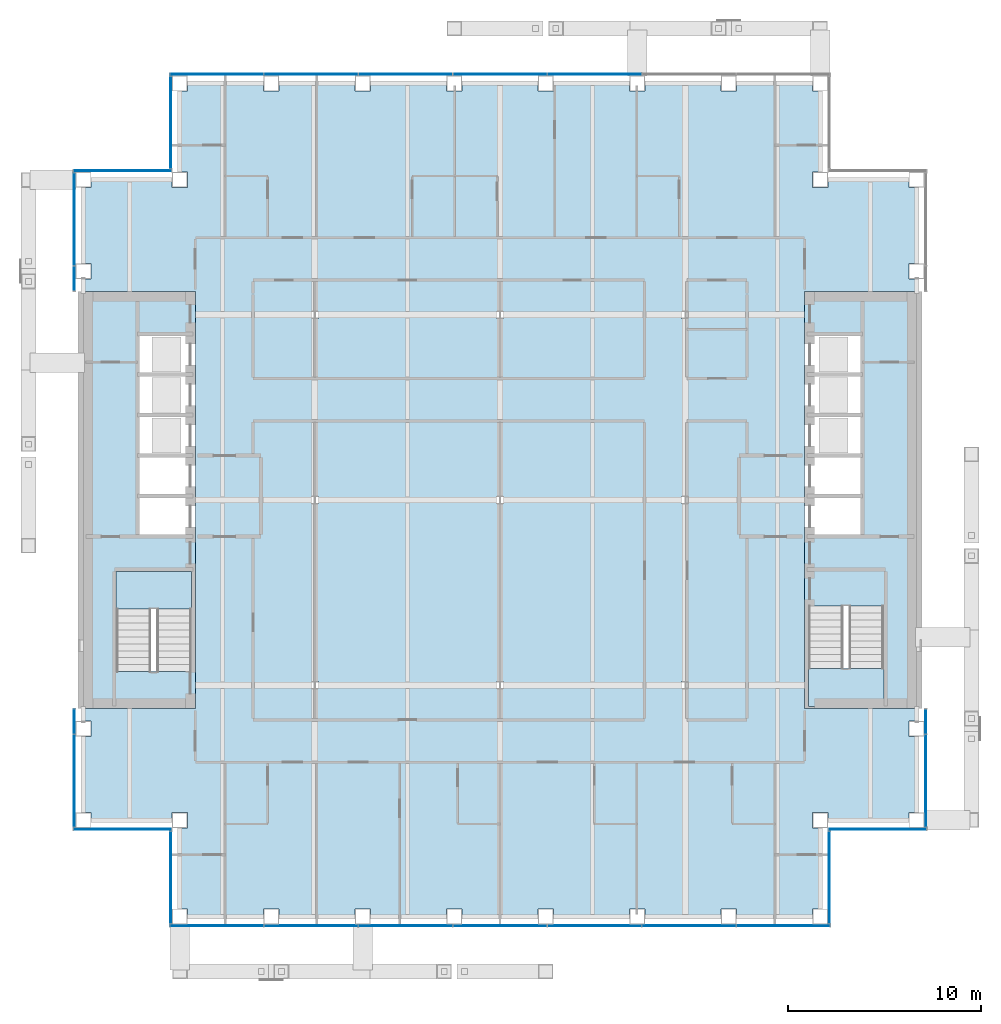
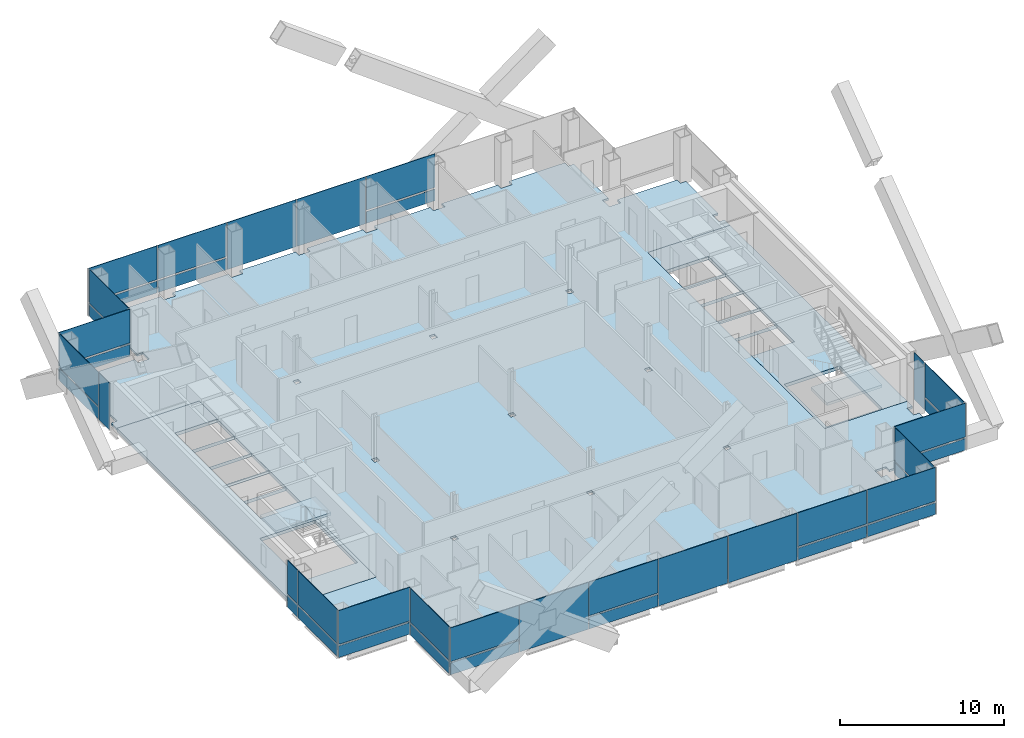
# One storey, part 9 of 16: 41 plates, 5 slabs, 13 elements without a shape of their own.
"""IFC4 building model written with IfcOpenShell, lengths in metres."""

from ifc_helpers import new_model, si_unit, direction, frame, origin, origin_2d, place, context, subcontext, project, spatial, polyline, rectangle, outline, extrude, material, layer, layer_set, type_object, element, aggregate, save


model = new_model("IFC4")

# Units and contexts
model_context = context("Model", 3, precision=1e-05, world=origin(), true_north=direction((0.0, 1.0)))
body_context = subcontext(model_context, "Body", "Model", "MODEL_VIEW")
ifc_project = project(units=[si_unit("LENGTHUNIT", "METRE"), si_unit("AREAUNIT", "SQUARE_METRE"), si_unit("VOLUMEUNIT", "CUBIC_METRE"), si_unit("PLANEANGLEUNIT", "RADIAN"), si_unit("MASSUNIT", "GRAM", prefix="KILO")], contexts=[model_context])

# Site, building, storey
site_placement = place(None, origin())
site = spatial("IfcSite", under=ifc_project, at=site_placement, CompositionType="ELEMENT")
building_placement = place(site_placement, origin())
building = spatial("IfcBuilding", under=site, at=building_placement, Name="Cobrizo Arcos Hotel Tower", CompositionType="ELEMENT")
storey_placement = place(building_placement, frame((0.0, 0.0, 172.5)))
storey = spatial("IfcBuildingStorey", under=building, at=storey_placement, Name="L44", CompositionType="ELEMENT", Elevation=172.5)

# Curtain wall, plates
ifc_material_1 = material(Name="Aluminium 6063-T6 anodised bronze", Category="aluminium")
curtain_wall_type = type_object("IfcCurtainWallType", Name="CW-A guest facade", PredefinedType="NOTDEFINED", material=ifc_material_1)
curtain_wall_1_placement = place(storey_placement, origin())
curtain_wall_1 = element("IfcCurtainWall", 1, at=curtain_wall_1_placement, inside=storey, type_object=curtain_wall_type, Name="CW-A L44 S face", PredefinedType="NOTDEFINED")
ifc_material_2 = material(Name="Glass clear laminated low-e", Category="glass")
ifc_layer_1 = layer(ifc_material_2, 0.0400390625)
ifc_layer_set_1 = layer_set([ifc_layer_1], Name="CW-A glass panel")
plate_type_1 = type_object("IfcPlateType", Name="CW-A glass panel", PredefinedType="CURTAIN_PANEL", material=ifc_layer_set_1)
plate_1_placement = place(storey_placement, frame((-14.68505859375, -22.074951171875, 0.990234375), z_axis=(0.0, 0.0, 1.0), x_axis=(1.0, 0.0, 0.0)))
plate_1 = element("IfcPlate", 2, at=plate_1_placement, type_object=plate_type_1, Name="CW-A glass panel 1546", PredefinedType="CURTAIN_PANEL", context=body_context, shape_type="SweptSolid", body=[
    extrude(rectangle(XDim=4.81005859375, YDim=0.0400390625, at=origin_2d()), origin(), (0.0, 0.0, 1.0), 2.510009765625),
])
plate_2_placement = place(storey_placement, frame((-4.89990234375, -22.074951171875, 0.990234375), z_axis=(0.0, 0.0, 1.0), x_axis=(1.0, 0.0, 0.0)))
plate_2 = element("IfcPlate", 3, at=plate_2_placement, type_object=plate_type_1, Name="CW-A glass panel 1548", PredefinedType="CURTAIN_PANEL", context=body_context, shape_type="SweptSolid", body=[
    extrude(rectangle(XDim=4.840087890625, YDim=0.0400390625, at=origin_2d()), origin(), (0.0, 0.0, 1.0), 2.510009765625),
])
plate_3_placement = place(storey_placement, frame((9.800048828125, -22.074951171875, 0.990234375), z_axis=(0.0, 0.0, 1.0), x_axis=(1.0, 0.0, 0.0)))
plate_3 = element("IfcPlate", 4, at=plate_3_placement, type_object=plate_type_1, Name="CW-A glass panel 1551", PredefinedType="CURTAIN_PANEL", context=body_context, shape_type="SweptSolid", body=[
    extrude(rectangle(XDim=4.840087890625, YDim=0.0400390625, at=origin_2d()), origin(), (0.0, 0.0, 1.0), 2.510009765625),
])
plate_4_placement = place(storey_placement, frame((14.68505859375, -22.074951171875, 0.990234375), z_axis=(0.0, 0.0, 1.0), x_axis=(1.0, 0.0, 0.0)))
plate_4 = element("IfcPlate", 5, at=plate_4_placement, type_object=plate_type_1, Name="CW-A glass panel 1552", PredefinedType="CURTAIN_PANEL", context=body_context, shape_type="SweptSolid", body=[
    extrude(rectangle(XDim=4.81005859375, YDim=0.0400390625, at=origin_2d()), origin(), (0.0, 0.0, 1.0), 2.510009765625),
])

# Curtain wall, plate
curtain_wall_2_placement = place(storey_placement, origin())
curtain_wall_2 = element("IfcCurtainWall", 6, at=curtain_wall_2_placement, inside=storey, type_object=curtain_wall_type, Name="CW-A L44 E face", PredefinedType="NOTDEFINED")
plate_5_placement = place(storey_placement, frame((17.074951171875, -19.574951171875, 0.990234375), z_axis=(0.0, 0.0, 1.0), x_axis=(0.0, 1.0, 0.0)))
plate_5 = element("IfcPlate", 7, at=plate_5_placement, type_object=plate_type_1, Name="CW-A glass panel 1553", PredefinedType="CURTAIN_PANEL", context=body_context, shape_type="SweptSolid", body=[
    extrude(rectangle(XDim=4.72998046875, YDim=0.0400390625, at=origin_2d()), origin(), (0.0, 0.0, 1.0), 2.510009765625),
])

curtain_wall_3_placement = place(storey_placement, origin())
curtain_wall_3 = element("IfcCurtainWall", 8, at=curtain_wall_3_placement, inside=storey, type_object=curtain_wall_type, Name="CW-A L44 S face", PredefinedType="NOTDEFINED")
plate_6_placement = place(storey_placement, frame((19.574951171875, -17.074951171875, 0.990234375), z_axis=(0.0, 0.0, 1.0), x_axis=(1.0, 0.0, 0.0)))
plate_6 = element("IfcPlate", 9, at=plate_6_placement, type_object=plate_type_1, Name="CW-A glass panel 1554", PredefinedType="CURTAIN_PANEL", context=body_context, shape_type="SweptSolid", body=[
    extrude(rectangle(XDim=5.030029296875, YDim=0.0400390625, at=origin_2d()), origin(), (0.0, 0.0, 1.0), 2.510009765625),
])

curtain_wall_4_placement = place(storey_placement, origin())
curtain_wall_4 = element("IfcCurtainWall", 10, at=curtain_wall_4_placement, inside=storey, type_object=curtain_wall_type, Name="CW-A L44 E face", PredefinedType="NOTDEFINED")
plate_7_placement = place(storey_placement, frame((22.074951171875, -14.556396484375, 0.990234375), z_axis=(0.0, 0.0, 1.0), x_axis=(0.0, 1.0, 0.0)))
plate_7 = element("IfcPlate", 11, at=plate_7_placement, type_object=plate_type_1, Name="CW-A glass panel 1555", PredefinedType="CURTAIN_PANEL", context=body_context, shape_type="SweptSolid", body=[
    extrude(rectangle(XDim=4.76708984375, YDim=0.0400390625, at=origin_2d()), origin(), (0.0, 0.0, 1.0), 2.510009765625),
])

# Curtain wall, plates
curtain_wall_5_placement = place(storey_placement, origin())
curtain_wall_5 = element("IfcCurtainWall", 12, at=curtain_wall_5_placement, inside=storey, type_object=curtain_wall_type, Name="CW-A L44 N face", PredefinedType="NOTDEFINED")
plate_8_placement = place(storey_placement, frame((4.89990234375, 22.074951171875, 0.990234375), z_axis=(0.0, 0.0, 1.0), x_axis=(-1.0, 0.0, 0.0)))
plate_8 = element("IfcPlate", 13, at=plate_8_placement, type_object=plate_type_1, Name="CW-A glass panel 1563", PredefinedType="CURTAIN_PANEL", context=body_context, shape_type="SweptSolid", body=[
    extrude(rectangle(XDim=4.840087890625, YDim=0.0400390625, at=origin_2d()), origin(), (0.0, 0.0, 1.0), 2.510009765625),
])
plate_9_placement = place(storey_placement, frame((-9.800048828125, 22.074951171875, 0.990234375), z_axis=(0.0, 0.0, 1.0), x_axis=(-1.0, 0.0, 0.0)))
plate_9 = element("IfcPlate", 14, at=plate_9_placement, type_object=plate_type_1, Name="CW-A glass panel 1566", PredefinedType="CURTAIN_PANEL", context=body_context, shape_type="SweptSolid", body=[
    extrude(rectangle(XDim=4.840087890625, YDim=0.0400390625, at=origin_2d()), origin(), (0.0, 0.0, 1.0), 2.510009765625),
])
plate_10_placement = place(storey_placement, frame((-14.68505859375, 22.074951171875, 0.990234375), z_axis=(0.0, 0.0, 1.0), x_axis=(-1.0, 0.0, 0.0)))
plate_10 = element("IfcPlate", 15, at=plate_10_placement, type_object=plate_type_1, Name="CW-A glass panel 1567", PredefinedType="CURTAIN_PANEL", context=body_context, shape_type="SweptSolid", body=[
    extrude(rectangle(XDim=4.81005859375, YDim=0.0400390625, at=origin_2d()), origin(), (0.0, 0.0, 1.0), 2.510009765625),
])

# Curtain wall, plate
curtain_wall_6_placement = place(storey_placement, origin())
curtain_wall_6 = element("IfcCurtainWall", 16, at=curtain_wall_6_placement, inside=storey, type_object=curtain_wall_type, Name="CW-A L44 W face", PredefinedType="NOTDEFINED")
plate_11_placement = place(storey_placement, frame((-17.074951171875, 19.574951171875, 0.990234375), z_axis=(0.0, 0.0, 1.0), x_axis=(0.0, -1.0, 0.0)))
plate_11 = element("IfcPlate", 17, at=plate_11_placement, type_object=plate_type_1, Name="CW-A glass panel 1568", PredefinedType="CURTAIN_PANEL", context=body_context, shape_type="SweptSolid", body=[
    extrude(rectangle(XDim=4.72998046875, YDim=0.0400390625, at=origin_2d()), origin(), (0.0, 0.0, 1.0), 2.510009765625),
])

curtain_wall_7_placement = place(storey_placement, origin())
curtain_wall_7 = element("IfcCurtainWall", 18, at=curtain_wall_7_placement, inside=storey, type_object=curtain_wall_type, Name="CW-A L44 N face", PredefinedType="NOTDEFINED")
plate_12_placement = place(storey_placement, frame((-19.574951171875, 17.074951171875, 0.990234375), z_axis=(0.0, 0.0, 1.0), x_axis=(-1.0, 0.0, 0.0)))
plate_12 = element("IfcPlate", 19, at=plate_12_placement, type_object=plate_type_1, Name="CW-A glass panel 1569", PredefinedType="CURTAIN_PANEL", context=body_context, shape_type="SweptSolid", body=[
    extrude(rectangle(XDim=5.030029296875, YDim=0.0400390625, at=origin_2d()), origin(), (0.0, 0.0, 1.0), 2.510009765625),
])

curtain_wall_8_placement = place(storey_placement, origin())
curtain_wall_8 = element("IfcCurtainWall", 20, at=curtain_wall_8_placement, inside=storey, type_object=curtain_wall_type, Name="CW-A L44 W face", PredefinedType="NOTDEFINED")
plate_13_placement = place(storey_placement, frame((-22.074951171875, 14.556396484375, 0.990234375), z_axis=(0.0, 0.0, 1.0), x_axis=(0.0, -1.0, 0.0)))
plate_13 = element("IfcPlate", 21, at=plate_13_placement, type_object=plate_type_1, Name="CW-A glass panel 1570", PredefinedType="CURTAIN_PANEL", context=body_context, shape_type="SweptSolid", body=[
    extrude(rectangle(XDim=4.76708984375, YDim=0.0400390625, at=origin_2d()), origin(), (0.0, 0.0, 1.0), 2.510009765625),
])

# Curtain wall, plates
curtain_wall_9_placement = place(storey_placement, origin())
curtain_wall_9 = element("IfcCurtainWall", 22, at=curtain_wall_9_placement, inside=storey, type_object=curtain_wall_type, Name="CW-A L44 W face", PredefinedType="NOTDEFINED")
plate_14_placement = place(storey_placement, frame((-22.074951171875, -11.486328125, 0.990234375), z_axis=(0.0, 0.0, 1.0), x_axis=(0.0, -1.0, 0.0)))
plate_14 = element("IfcPlate", 23, at=plate_14_placement, type_object=plate_type_1, Name="CW-A glass panel 1572", PredefinedType="CURTAIN_PANEL", context=body_context, shape_type="SweptSolid", body=[
    extrude(rectangle(XDim=1.2529296875, YDim=0.0400390625, at=origin_2d()), origin(), (0.0, 0.0, 1.0), 2.510009765625),
])
plate_15_placement = place(storey_placement, frame((-22.074951171875, -14.556396484375, 0.990234375), z_axis=(0.0, 0.0, 1.0), x_axis=(0.0, -1.0, 0.0)))
plate_15 = element("IfcPlate", 24, at=plate_15_placement, type_object=plate_type_1, Name="CW-A glass panel 1573", PredefinedType="CURTAIN_PANEL", context=body_context, shape_type="SweptSolid", body=[
    extrude(rectangle(XDim=4.76708984375, YDim=0.0400390625, at=origin_2d()), origin(), (0.0, 0.0, 1.0), 2.510009765625),
])

# Curtain wall, plate
curtain_wall_10_placement = place(storey_placement, origin())
curtain_wall_10 = element("IfcCurtainWall", 25, at=curtain_wall_10_placement, inside=storey, type_object=curtain_wall_type, Name="CW-A L44 S face", PredefinedType="NOTDEFINED")
plate_16_placement = place(storey_placement, frame((-19.574951171875, -17.074951171875, 0.990234375), z_axis=(0.0, 0.0, 1.0), x_axis=(1.0, 0.0, 0.0)))
plate_16 = element("IfcPlate", 26, at=plate_16_placement, type_object=plate_type_1, Name="CW-A glass panel 1574", PredefinedType="CURTAIN_PANEL", context=body_context, shape_type="SweptSolid", body=[
    extrude(rectangle(XDim=5.030029296875, YDim=0.0400390625, at=origin_2d()), origin(), (0.0, 0.0, 1.0), 2.510009765625),
])

curtain_wall_11_placement = place(storey_placement, origin())
curtain_wall_11 = element("IfcCurtainWall", 27, at=curtain_wall_11_placement, inside=storey, type_object=curtain_wall_type, Name="CW-A L44 W face", PredefinedType="NOTDEFINED")
plate_17_placement = place(storey_placement, frame((-17.074951171875, -19.574951171875, 0.990234375), z_axis=(0.0, 0.0, 1.0), x_axis=(0.0, -1.0, 0.0)))
plate_17 = element("IfcPlate", 28, at=plate_17_placement, type_object=plate_type_1, Name="CW-A glass panel 1575", PredefinedType="CURTAIN_PANEL", context=body_context, shape_type="SweptSolid", body=[
    extrude(rectangle(XDim=4.72998046875, YDim=0.0400390625, at=origin_2d()), origin(), (0.0, 0.0, 1.0), 2.510009765625),
])

# Plate
ifc_material_3 = material(Name="Aluminium composite panel pale metal", Category="aluminium")
ifc_layer_2 = layer(ifc_material_3, 0.0400390625)
ifc_layer_set_2 = layer_set([ifc_layer_2], Name="CW-A spandrel panel")
plate_type_2 = type_object("IfcPlateType", Name="CW-A spandrel panel", PredefinedType="CURTAIN_PANEL", material=ifc_layer_set_2)
plate_18_placement = place(storey_placement, frame((-14.68505859375, -22.074951171875, 0.0), z_axis=(0.0, 0.0, 1.0), x_axis=(1.0, 0.0, 0.0)))
plate_18 = element("IfcPlate", 29, at=plate_18_placement, type_object=plate_type_2, Name="CW-A spandrel panel 1546", PredefinedType="CURTAIN_PANEL", context=body_context, shape_type="SweptSolid", body=[
    extrude(rectangle(XDim=4.81005859375, YDim=0.0400390625, at=origin_2d()), origin(), (0.0, 0.0, 1.0), 0.8701171875),
])

plate_19_placement = place(storey_placement, frame((-9.800048828125, -22.074951171875, 0.0), z_axis=(0.0, 0.0, 1.0), x_axis=(1.0, 0.0, 0.0)))
plate_19 = element("IfcPlate", 30, at=plate_19_placement, type_object=plate_type_2, Name="CW-A spandrel panel 1547", PredefinedType="CURTAIN_PANEL", context=body_context, shape_type="SweptSolid", body=[
    extrude(rectangle(XDim=4.840087890625, YDim=0.0400390625, at=origin_2d()), origin(), (0.0, 0.0, 1.0), 3.5),
])

plate_20_placement = place(storey_placement, frame((-4.89990234375, -22.074951171875, 0.0), z_axis=(0.0, 0.0, 1.0), x_axis=(1.0, 0.0, 0.0)))
plate_20 = element("IfcPlate", 31, at=plate_20_placement, type_object=plate_type_2, Name="CW-A spandrel panel 1548", PredefinedType="CURTAIN_PANEL", context=body_context, shape_type="SweptSolid", body=[
    extrude(rectangle(XDim=4.840087890625, YDim=0.0400390625, at=origin_2d()), origin(), (0.0, 0.0, 1.0), 0.8701171875),
])

plate_21_placement = place(storey_placement, frame((0.0, -22.074951171875, 0.0), z_axis=(0.0, 0.0, 1.0), x_axis=(1.0, 0.0, 0.0)))
plate_21 = element("IfcPlate", 32, at=plate_21_placement, type_object=plate_type_2, Name="CW-A spandrel panel 1549", PredefinedType="CURTAIN_PANEL", context=body_context, shape_type="SweptSolid", body=[
    extrude(rectangle(XDim=4.840087890625, YDim=0.0400390625, at=origin_2d()), origin(), (0.0, 0.0, 1.0), 3.5),
])

plate_22_placement = place(storey_placement, frame((4.89990234375, -22.074951171875, 0.0), z_axis=(0.0, 0.0, 1.0), x_axis=(1.0, 0.0, 0.0)))
plate_22 = element("IfcPlate", 33, at=plate_22_placement, type_object=plate_type_2, Name="CW-A spandrel panel 1550", PredefinedType="CURTAIN_PANEL", context=body_context, shape_type="SweptSolid", body=[
    extrude(rectangle(XDim=4.840087890625, YDim=0.0400390625, at=origin_2d()), origin(), (0.0, 0.0, 1.0), 3.5),
])

plate_23_placement = place(storey_placement, frame((9.800048828125, -22.074951171875, 0.0), z_axis=(0.0, 0.0, 1.0), x_axis=(1.0, 0.0, 0.0)))
plate_23 = element("IfcPlate", 34, at=plate_23_placement, type_object=plate_type_2, Name="CW-A spandrel panel 1551", PredefinedType="CURTAIN_PANEL", context=body_context, shape_type="SweptSolid", body=[
    extrude(rectangle(XDim=4.840087890625, YDim=0.0400390625, at=origin_2d()), origin(), (0.0, 0.0, 1.0), 0.8701171875),
])

plate_24_placement = place(storey_placement, frame((14.68505859375, -22.074951171875, 0.0), z_axis=(0.0, 0.0, 1.0), x_axis=(1.0, 0.0, 0.0)))
plate_24 = element("IfcPlate", 35, at=plate_24_placement, type_object=plate_type_2, Name="CW-A spandrel panel 1552", PredefinedType="CURTAIN_PANEL", context=body_context, shape_type="SweptSolid", body=[
    extrude(rectangle(XDim=4.81005859375, YDim=0.0400390625, at=origin_2d()), origin(), (0.0, 0.0, 1.0), 0.8701171875),
])

aggregate(curtain_wall_1, [plate_18, plate_1, plate_19, plate_20, plate_2, plate_21, plate_22, plate_23, plate_3, plate_24, plate_4])

plate_25_placement = place(storey_placement, frame((17.074951171875, -19.574951171875, 0.0), z_axis=(0.0, 0.0, 1.0), x_axis=(0.0, 1.0, 0.0)))
plate_25 = element("IfcPlate", 36, at=plate_25_placement, type_object=plate_type_2, Name="CW-A spandrel panel 1553", PredefinedType="CURTAIN_PANEL", context=body_context, shape_type="SweptSolid", body=[
    extrude(rectangle(XDim=4.72998046875, YDim=0.0400390625, at=origin_2d()), origin(), (0.0, 0.0, 1.0), 0.8701171875),
])

aggregate(curtain_wall_2, [plate_25, plate_5])

plate_26_placement = place(storey_placement, frame((19.574951171875, -17.074951171875, 0.0), z_axis=(0.0, 0.0, 1.0), x_axis=(1.0, 0.0, 0.0)))
plate_26 = element("IfcPlate", 37, at=plate_26_placement, type_object=plate_type_2, Name="CW-A spandrel panel 1554", PredefinedType="CURTAIN_PANEL", context=body_context, shape_type="SweptSolid", body=[
    extrude(rectangle(XDim=5.030029296875, YDim=0.0400390625, at=origin_2d()), origin(), (0.0, 0.0, 1.0), 0.8701171875),
])

aggregate(curtain_wall_3, [plate_26, plate_6])

plate_27_placement = place(storey_placement, frame((22.074951171875, -14.556396484375, 0.0), z_axis=(0.0, 0.0, 1.0), x_axis=(0.0, 1.0, 0.0)))
plate_27 = element("IfcPlate", 38, at=plate_27_placement, type_object=plate_type_2, Name="CW-A spandrel panel 1555", PredefinedType="CURTAIN_PANEL", context=body_context, shape_type="SweptSolid", body=[
    extrude(rectangle(XDim=4.76708984375, YDim=0.0400390625, at=origin_2d()), origin(), (0.0, 0.0, 1.0), 0.8701171875),
])

plate_28_placement = place(storey_placement, frame((22.074951171875, -11.486328125, 0.0), z_axis=(0.0, 0.0, 1.0), x_axis=(0.0, 1.0, 0.0)))
plate_28 = element("IfcPlate", 39, at=plate_28_placement, type_object=plate_type_2, Name="CW-A spandrel panel 1556", PredefinedType="CURTAIN_PANEL", context=body_context, shape_type="SweptSolid", body=[
    extrude(rectangle(XDim=1.2529296875, YDim=0.0400390625, at=origin_2d()), origin(), (0.0, 0.0, 1.0), 3.5),
])

aggregate(curtain_wall_4, [plate_27, plate_7, plate_28])

plate_29_placement = place(storey_placement, frame((4.89990234375, 22.074951171875, 0.0), z_axis=(0.0, 0.0, 1.0), x_axis=(-1.0, 0.0, 0.0)))
plate_29 = element("IfcPlate", 40, at=plate_29_placement, type_object=plate_type_2, Name="CW-A spandrel panel 1563", PredefinedType="CURTAIN_PANEL", context=body_context, shape_type="SweptSolid", body=[
    extrude(rectangle(XDim=4.840087890625, YDim=0.0400390625, at=origin_2d()), origin(), (0.0, 0.0, 1.0), 0.8701171875),
])

plate_30_placement = place(storey_placement, frame((0.0, 22.074951171875, 0.0), z_axis=(0.0, 0.0, 1.0), x_axis=(-1.0, 0.0, 0.0)))
plate_30 = element("IfcPlate", 41, at=plate_30_placement, type_object=plate_type_2, Name="CW-A spandrel panel 1564", PredefinedType="CURTAIN_PANEL", context=body_context, shape_type="SweptSolid", body=[
    extrude(rectangle(XDim=4.840087890625, YDim=0.0400390625, at=origin_2d()), origin(), (0.0, 0.0, 1.0), 3.5),
])

plate_31_placement = place(storey_placement, frame((-4.89990234375, 22.074951171875, 0.0), z_axis=(0.0, 0.0, 1.0), x_axis=(-1.0, 0.0, 0.0)))
plate_31 = element("IfcPlate", 42, at=plate_31_placement, type_object=plate_type_2, Name="CW-A spandrel panel 1565", PredefinedType="CURTAIN_PANEL", context=body_context, shape_type="SweptSolid", body=[
    extrude(rectangle(XDim=4.840087890625, YDim=0.0400390625, at=origin_2d()), origin(), (0.0, 0.0, 1.0), 3.5),
])

plate_32_placement = place(storey_placement, frame((-9.800048828125, 22.074951171875, 0.0), z_axis=(0.0, 0.0, 1.0), x_axis=(-1.0, 0.0, 0.0)))
plate_32 = element("IfcPlate", 43, at=plate_32_placement, type_object=plate_type_2, Name="CW-A spandrel panel 1566", PredefinedType="CURTAIN_PANEL", context=body_context, shape_type="SweptSolid", body=[
    extrude(rectangle(XDim=4.840087890625, YDim=0.0400390625, at=origin_2d()), origin(), (0.0, 0.0, 1.0), 0.8701171875),
])

plate_33_placement = place(storey_placement, frame((-14.68505859375, 22.074951171875, 0.0), z_axis=(0.0, 0.0, 1.0), x_axis=(-1.0, 0.0, 0.0)))
plate_33 = element("IfcPlate", 44, at=plate_33_placement, type_object=plate_type_2, Name="CW-A spandrel panel 1567", PredefinedType="CURTAIN_PANEL", context=body_context, shape_type="SweptSolid", body=[
    extrude(rectangle(XDim=4.81005859375, YDim=0.0400390625, at=origin_2d()), origin(), (0.0, 0.0, 1.0), 0.8701171875),
])

aggregate(curtain_wall_5, [plate_29, plate_8, plate_30, plate_31, plate_32, plate_9, plate_33, plate_10])

plate_34_placement = place(storey_placement, frame((-17.074951171875, 19.574951171875, 0.0), z_axis=(0.0, 0.0, 1.0), x_axis=(0.0, -1.0, 0.0)))
plate_34 = element("IfcPlate", 45, at=plate_34_placement, type_object=plate_type_2, Name="CW-A spandrel panel 1568", PredefinedType="CURTAIN_PANEL", context=body_context, shape_type="SweptSolid", body=[
    extrude(rectangle(XDim=4.72998046875, YDim=0.0400390625, at=origin_2d()), origin(), (0.0, 0.0, 1.0), 0.8701171875),
])

aggregate(curtain_wall_6, [plate_34, plate_11])

plate_35_placement = place(storey_placement, frame((-19.574951171875, 17.074951171875, 0.0), z_axis=(0.0, 0.0, 1.0), x_axis=(-1.0, 0.0, 0.0)))
plate_35 = element("IfcPlate", 46, at=plate_35_placement, type_object=plate_type_2, Name="CW-A spandrel panel 1569", PredefinedType="CURTAIN_PANEL", context=body_context, shape_type="SweptSolid", body=[
    extrude(rectangle(XDim=5.030029296875, YDim=0.0400390625, at=origin_2d()), origin(), (0.0, 0.0, 1.0), 0.8701171875),
])

aggregate(curtain_wall_7, [plate_35, plate_12])

plate_36_placement = place(storey_placement, frame((-22.074951171875, 14.556396484375, 0.0), z_axis=(0.0, 0.0, 1.0), x_axis=(0.0, -1.0, 0.0)))
plate_36 = element("IfcPlate", 47, at=plate_36_placement, type_object=plate_type_2, Name="CW-A spandrel panel 1570", PredefinedType="CURTAIN_PANEL", context=body_context, shape_type="SweptSolid", body=[
    extrude(rectangle(XDim=4.76708984375, YDim=0.0400390625, at=origin_2d()), origin(), (0.0, 0.0, 1.0), 0.8701171875),
])

plate_37_placement = place(storey_placement, frame((-22.074951171875, 11.486328125, 0.0), z_axis=(0.0, 0.0, 1.0), x_axis=(0.0, -1.0, 0.0)))
plate_37 = element("IfcPlate", 48, at=plate_37_placement, type_object=plate_type_2, Name="CW-A spandrel panel 1571", PredefinedType="CURTAIN_PANEL", context=body_context, shape_type="SweptSolid", body=[
    extrude(rectangle(XDim=1.2529296875, YDim=0.0400390625, at=origin_2d()), origin(), (0.0, 0.0, 1.0), 3.5),
])

aggregate(curtain_wall_8, [plate_36, plate_13, plate_37])

plate_38_placement = place(storey_placement, frame((-22.074951171875, -11.486328125, 0.0), z_axis=(0.0, 0.0, 1.0), x_axis=(0.0, -1.0, 0.0)))
plate_38 = element("IfcPlate", 49, at=plate_38_placement, type_object=plate_type_2, Name="CW-A spandrel panel 1572", PredefinedType="CURTAIN_PANEL", context=body_context, shape_type="SweptSolid", body=[
    extrude(rectangle(XDim=1.2529296875, YDim=0.0400390625, at=origin_2d()), origin(), (0.0, 0.0, 1.0), 0.8701171875),
])

plate_39_placement = place(storey_placement, frame((-22.074951171875, -14.556396484375, 0.0), z_axis=(0.0, 0.0, 1.0), x_axis=(0.0, -1.0, 0.0)))
plate_39 = element("IfcPlate", 50, at=plate_39_placement, type_object=plate_type_2, Name="CW-A spandrel panel 1573", PredefinedType="CURTAIN_PANEL", context=body_context, shape_type="SweptSolid", body=[
    extrude(rectangle(XDim=4.76708984375, YDim=0.0400390625, at=origin_2d()), origin(), (0.0, 0.0, 1.0), 0.8701171875),
])

aggregate(curtain_wall_9, [plate_38, plate_14, plate_39, plate_15])

plate_40_placement = place(storey_placement, frame((-19.574951171875, -17.074951171875, 0.0), z_axis=(0.0, 0.0, 1.0), x_axis=(1.0, 0.0, 0.0)))
plate_40 = element("IfcPlate", 51, at=plate_40_placement, type_object=plate_type_2, Name="CW-A spandrel panel 1574", PredefinedType="CURTAIN_PANEL", context=body_context, shape_type="SweptSolid", body=[
    extrude(rectangle(XDim=5.030029296875, YDim=0.0400390625, at=origin_2d()), origin(), (0.0, 0.0, 1.0), 0.8701171875),
])

aggregate(curtain_wall_10, [plate_40, plate_16])

plate_41_placement = place(storey_placement, frame((-17.074951171875, -19.574951171875, 0.0), z_axis=(0.0, 0.0, 1.0), x_axis=(0.0, -1.0, 0.0)))
plate_41 = element("IfcPlate", 52, at=plate_41_placement, type_object=plate_type_2, Name="CW-A spandrel panel 1575", PredefinedType="CURTAIN_PANEL", context=body_context, shape_type="SweptSolid", body=[
    extrude(rectangle(XDim=4.72998046875, YDim=0.0400390625, at=origin_2d()), origin(), (0.0, 0.0, 1.0), 0.8701171875),
])

aggregate(curtain_wall_11, [plate_41, plate_17])

# Slabs
ifc_material_4 = material(Name="Concrete f'c 35 MPa", Category="concrete")
ifc_layer_3 = layer(ifc_material_4, 0.14990234375)
ifc_layer_set_3 = layer_set([ifc_layer_3], Name="Composite floor slab 150 f'c 35")
slab_type_1 = type_object("IfcSlabType", Name="Composite floor slab 150 f'c 35", PredefinedType="FLOOR", material=ifc_layer_set_3)
slab_1_placement = place(storey_placement, frame((0.0, 0.0, -0.14990234375)))
element("IfcSlab", 53, at=slab_1_placement, inside=storey, type_object=slab_type_1, Name="Floor slab S5, L44, no. 01", PredefinedType="FLOOR", context=body_context, shape_type="SweptSolid", body=[
    extrude(outline(polyline([(-16.199951171875, -21.60009765625), (-16.199951171875, -21.199951171875), (-16.60009765625, -21.199951171875), (-16.60009765625, -17.0), (-16.199951171875, -17.0), (-16.199951171875, -16.199951171875), (-17.0, -16.199951171875), (-17.0, -16.60009765625), (-21.199951171875, -16.60009765625), (-21.199951171875, -16.199951171875), (-21.60009765625, -16.199951171875), (-21.60009765625, -12.257080078125), (-21.199951171875, -12.257080078125), (-21.199951171875, -11.45703125), (-21.60009765625, -11.45703125), (-21.60009765625, -10.800048828125), (-15.800048828125, -10.800048828125), (-15.800048828125, 10.800048828125), (-21.60009765625, 10.800048828125), (-21.60009765625, 11.45703125), (-21.199951171875, 11.45703125), (-21.199951171875, 12.257080078125), (-21.60009765625, 12.257080078125), (-21.60009765625, 16.199951171875), (-21.199951171875, 16.199951171875), (-21.199951171875, 16.60009765625), (-17.0, 16.60009765625), (-17.0, 16.199951171875), (-16.199951171875, 16.199951171875), (-16.199951171875, 17.0), (-16.60009765625, 17.0), (-16.60009765625, 21.199951171875), (-16.199951171875, 21.199951171875), (-16.199951171875, 21.60009765625), (-12.257080078125, 21.60009765625), (-12.257080078125, 21.199951171875), (-11.45703125, 21.199951171875), (-11.45703125, 21.60009765625), (-7.513916015625, 21.60009765625), (-7.513916015625, 21.199951171875), (-6.714111328125, 21.199951171875), (-6.714111328125, 21.60009765625), (-2.77099609375, 21.60009765625), (-2.77099609375, 21.199951171875), (-1.970947265625, 21.199951171875), (-1.970947265625, 21.60009765625), (1.970947265625, 21.60009765625), (1.970947265625, 21.199951171875), (2.77099609375, 21.199951171875), (2.77099609375, 21.60009765625), (6.714111328125, 21.60009765625), (6.714111328125, 21.199951171875), (7.513916015625, 21.199951171875), (7.513916015625, 21.60009765625), (11.45703125, 21.60009765625), (11.45703125, 21.199951171875), (12.257080078125, 21.199951171875), (12.257080078125, 21.60009765625), (16.199951171875, 21.60009765625), (16.199951171875, 21.199951171875), (16.60009765625, 21.199951171875), (16.60009765625, 17.0), (16.199951171875, 17.0), (16.199951171875, 16.199951171875), (17.0, 16.199951171875), (17.0, 16.60009765625), (21.199951171875, 16.60009765625), (21.199951171875, 16.199951171875), (21.60009765625, 16.199951171875), (21.60009765625, 12.257080078125), (21.199951171875, 12.257080078125), (21.199951171875, 11.45703125), (21.60009765625, 11.45703125), (21.60009765625, 10.800048828125), (15.800048828125, 10.800048828125), (15.800048828125, -10.800048828125), (21.60009765625, -10.800048828125), (21.60009765625, -11.45703125), (21.199951171875, -11.45703125), (21.199951171875, -12.257080078125), (21.60009765625, -12.257080078125), (21.60009765625, -16.199951171875), (21.199951171875, -16.199951171875), (21.199951171875, -16.60009765625), (17.0, -16.60009765625), (17.0, -16.199951171875), (16.199951171875, -16.199951171875), (16.199951171875, -17.0), (16.60009765625, -17.0), (16.60009765625, -21.199951171875), (16.199951171875, -21.199951171875), (16.199951171875, -21.60009765625), (12.257080078125, -21.60009765625), (12.257080078125, -21.199951171875), (11.45703125, -21.199951171875), (11.45703125, -21.60009765625), (7.513916015625, -21.60009765625), (7.513916015625, -21.199951171875), (6.714111328125, -21.199951171875), (6.714111328125, -21.60009765625), (2.77099609375, -21.60009765625), (2.77099609375, -21.199951171875), (1.970947265625, -21.199951171875), (1.970947265625, -21.60009765625), (-1.970947265625, -21.60009765625), (-1.970947265625, -21.199951171875), (-2.77099609375, -21.199951171875), (-2.77099609375, -21.60009765625), (-6.714111328125, -21.60009765625), (-6.714111328125, -21.199951171875), (-7.513916015625, -21.199951171875), (-7.513916015625, -21.60009765625), (-11.45703125, -21.60009765625), (-11.45703125, -21.199951171875), (-12.257080078125, -21.199951171875), (-12.257080078125, -21.60009765625), (-16.199951171875, -21.60009765625)]), holes=[polyline([(-0.186767578125, -9.78662109375), (0.186767578125, -9.78662109375), (0.186767578125, -9.413330078125), (-0.186767578125, -9.413330078125), (-0.186767578125, -9.78662109375)]), polyline([(-9.78662109375, -9.78662109375), (-9.413330078125, -9.78662109375), (-9.413330078125, -9.413330078125), (-9.78662109375, -9.413330078125), (-9.78662109375, -9.78662109375)]), polyline([(-9.413330078125, -0.186767578125), (-9.413330078125, 0.186767578125), (-9.78662109375, 0.186767578125), (-9.78662109375, -0.186767578125), (-9.413330078125, -0.186767578125)]), polyline([(0.186767578125, -0.186767578125), (0.186767578125, 0.186767578125), (-0.186767578125, 0.186767578125), (-0.186767578125, -0.186767578125), (0.186767578125, -0.186767578125)]), polyline([(-9.78662109375, 9.413330078125), (-9.413330078125, 9.413330078125), (-9.413330078125, 9.78662109375), (-9.78662109375, 9.78662109375), (-9.78662109375, 9.413330078125)]), polyline([(9.413330078125, -9.78662109375), (9.78662109375, -9.78662109375), (9.78662109375, -9.413330078125), (9.413330078125, -9.413330078125), (9.413330078125, -9.78662109375)]), polyline([(9.413330078125, -0.186767578125), (9.78662109375, -0.186767578125), (9.78662109375, 0.186767578125), (9.413330078125, 0.186767578125), (9.413330078125, -0.186767578125)]), polyline([(9.78662109375, 9.413330078125), (9.78662109375, 9.78662109375), (9.413330078125, 9.78662109375), (9.413330078125, 9.413330078125), (9.78662109375, 9.413330078125)]), polyline([(0.186767578125, 9.413330078125), (0.186767578125, 9.78662109375), (-0.186767578125, 9.78662109375), (-0.186767578125, 9.413330078125), (0.186767578125, 9.413330078125)])]), origin(), (0.0, 0.0, 1.0), 0.14990234375),
])
ifc_material_5 = material(Name="Concrete f'c 50 MPa", Category="concrete")
ifc_layer_4 = layer(ifc_material_5, 0.25)
ifc_layer_set_4 = layer_set([ifc_layer_4], Name="RC core floor slab 250 f'c 50")
slab_type_2 = type_object("IfcSlabType", Name="RC core floor slab 250 f'c 50", PredefinedType="FLOOR", material=ifc_layer_set_4)
slab_2_placement = place(storey_placement, frame((0.0, 0.0, -0.25)))
element("IfcSlab", 54, at=slab_2_placement, inside=storey, type_object=slab_type_2, Name="Core floor slab CS5, east core, L44", PredefinedType="FLOOR", context=body_context, shape_type="SweptSolid", body=[
    extrude(outline(polyline([(15.800048828125, 10.800048828125), (21.60009765625, 10.800048828125), (21.60009765625, -10.800048828125), (15.800048828125, -10.800048828125), (15.800048828125, 10.800048828125)]), holes=[polyline([(19.89794921875, -10.697998046875), (19.89794921875, -5.501953125), (16.001953125, -5.501953125), (16.001953125, -10.697998046875), (19.89794921875, -10.697998046875)]), polyline([(15.802001953125, 0.197998046875), (15.802001953125, -1.89794921875), (18.798095703125, -1.89794921875), (18.798095703125, 0.197998046875), (15.802001953125, 0.197998046875)]), polyline([(15.802001953125, 2.298095703125), (15.802001953125, 0.201904296875), (18.798095703125, 0.201904296875), (18.798095703125, 2.298095703125), (15.802001953125, 2.298095703125)]), polyline([(15.802001953125, 4.39794921875), (15.802001953125, 2.302001953125), (18.798095703125, 2.302001953125), (18.798095703125, 4.39794921875), (15.802001953125, 4.39794921875)]), polyline([(18.798095703125, 6.498046875), (15.802001953125, 6.498046875), (15.802001953125, 4.402099609375), (18.798095703125, 4.402099609375), (18.798095703125, 6.498046875)]), polyline([(18.798095703125, 8.597900390625), (15.802001953125, 8.597900390625), (15.802001953125, 6.501953125), (18.798095703125, 6.501953125), (18.798095703125, 8.597900390625)])]), origin(), (0.0, 0.0, 1.0), 0.25),
])
slab_3_placement = place(storey_placement, frame((0.0, 0.0, -0.25)))
element("IfcSlab", 55, at=slab_3_placement, inside=storey, type_object=slab_type_2, Name="Core floor slab CS5, west core, L44", PredefinedType="FLOOR", context=body_context, shape_type="SweptSolid", body=[
    extrude(outline(polyline([(-21.60009765625, 10.800048828125), (-15.800048828125, 10.800048828125), (-15.800048828125, -10.800048828125), (-21.60009765625, -10.800048828125), (-21.60009765625, 10.800048828125)]), holes=[polyline([(-19.89794921875, -3.701904296875), (-19.89794921875, -8.89794921875), (-16.001953125, -8.89794921875), (-16.001953125, -3.701904296875), (-19.89794921875, -3.701904296875)]), polyline([(-18.798095703125, 0.197998046875), (-18.798095703125, -1.89794921875), (-15.802001953125, -1.89794921875), (-15.802001953125, 0.197998046875), (-18.798095703125, 0.197998046875)]), polyline([(-18.798095703125, 2.298095703125), (-18.798095703125, 0.201904296875), (-15.802001953125, 0.201904296875), (-15.802001953125, 2.298095703125), (-18.798095703125, 2.298095703125)]), polyline([(-18.798095703125, 4.39794921875), (-18.798095703125, 2.302001953125), (-15.802001953125, 2.302001953125), (-15.802001953125, 4.39794921875), (-18.798095703125, 4.39794921875)]), polyline([(-15.802001953125, 6.498046875), (-18.798095703125, 6.498046875), (-18.798095703125, 4.402099609375), (-15.802001953125, 4.402099609375), (-15.802001953125, 6.498046875)]), polyline([(-15.802001953125, 8.597900390625), (-18.798095703125, 8.597900390625), (-18.798095703125, 6.501953125), (-15.802001953125, 6.501953125), (-15.802001953125, 8.597900390625)])]), origin(), (0.0, 0.0, 1.0), 0.25),
])

# Stair, slab
ifc_material_6 = material(Name="Concrete f'c 40 MPa", Category="concrete")
stair_type = type_object("IfcStairType", Name="Exit stair", PredefinedType="HALF_TURN_STAIR", material=ifc_material_6)
stair_1_placement = place(storey_placement, origin())
stair_1 = element("IfcStair", 56, at=stair_1_placement, inside=storey, type_object=stair_type, Name="L44 Exit stair ST-W", PredefinedType="HALF_TURN_STAIR")
ifc_layer_5 = layer(ifc_material_6, 0.199951171875)
ifc_layer_set_5 = layer_set([ifc_layer_5], Name="Stair landing")
slab_type_3 = type_object("IfcSlabType", Name="Stair landing", PredefinedType="LANDING", material=ifc_layer_set_5)
slab_4_placement = place(storey_placement, frame((0.0, 0.0, 1.550048828125)))
slab_4 = element("IfcSlab", 57, at=slab_4_placement, type_object=slab_type_3, Name="ST-W landing 1", PredefinedType="LANDING", context=body_context, shape_type="SweptSolid", body=[
    extrude(outline(polyline([(-16.0, -5.659912109375), (-16.0, -3.699951171875), (-19.89990234375, -3.699951171875), (-19.89990234375, -5.659912109375), (-16.0, -5.659912109375)])), origin(), (0.0, 0.0, 1.0), 0.199951171875),
])
aggregate(stair_1, [slab_4])

stair_2_placement = place(storey_placement, origin())
stair_2 = element("IfcStair", 58, at=stair_2_placement, inside=storey, type_object=stair_type, Name="L44 Exit stair ST-E", PredefinedType="HALF_TURN_STAIR")
slab_5_placement = place(storey_placement, frame((0.0, 0.0, 1.550048828125)))
slab_5 = element("IfcSlab", 59, at=slab_5_placement, type_object=slab_type_3, Name="ST-E landing 1", PredefinedType="LANDING", context=body_context, shape_type="SweptSolid", body=[
    extrude(outline(polyline([(16.0, -8.739990234375), (16.0, -10.699951171875), (19.89990234375, -10.699951171875), (19.89990234375, -8.739990234375), (16.0, -8.739990234375)])), origin(), (0.0, 0.0, 1.0), 0.199951171875),
])
aggregate(stair_2, [slab_5])

save(model, "model.ifc")
